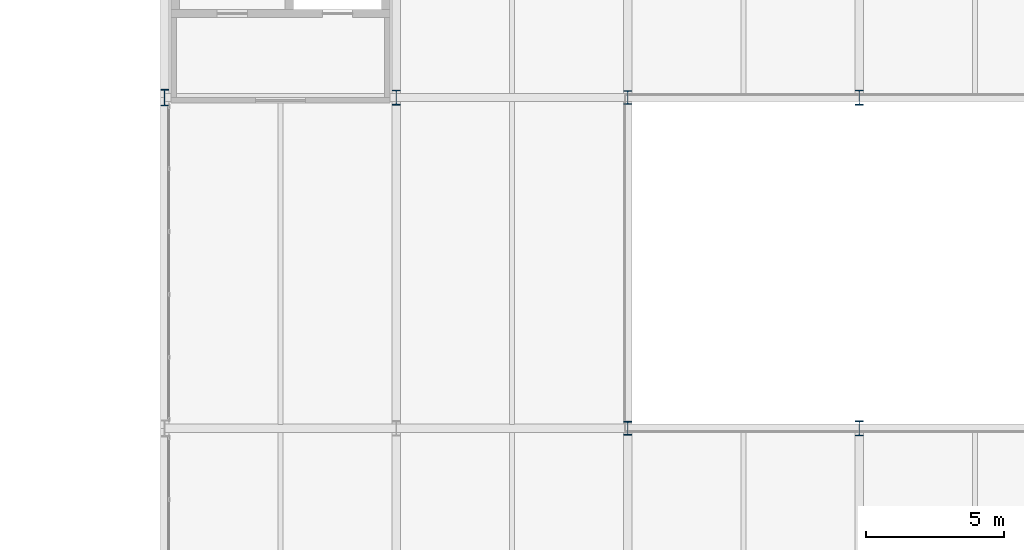
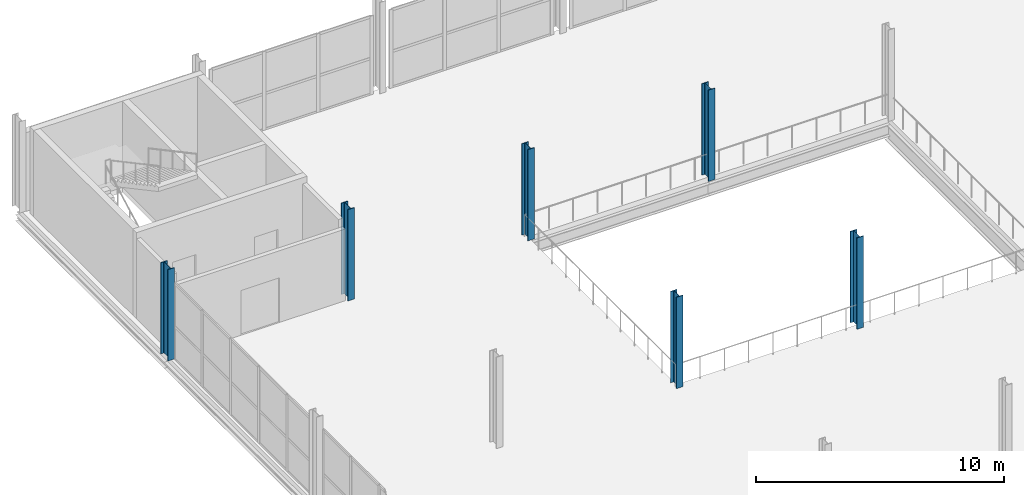
# One storey, part 3 of 109: 6 columns.
"""IFC4 building model written with IfcOpenShell, lengths in metres."""

from ifc_helpers import new_model, si_unit, direction, frame, origin, origin_2d, place, context, subcontext, project, spatial, i_section, extrude, material, material_profile, profile_set, type_object, element, save


model = new_model("IFC4")

# Units and contexts
model_context = context("Model", 3, precision=1e-05, world=origin(), true_north=direction((0.0, 1.0)))
body_context = subcontext(model_context, "Body", "Model", "MODEL_VIEW")
ifc_project = project(units=[si_unit("LENGTHUNIT", "METRE"), si_unit("AREAUNIT", "SQUARE_METRE"), si_unit("VOLUMEUNIT", "CUBIC_METRE"), si_unit("PLANEANGLEUNIT", "RADIAN"), si_unit("MASSUNIT", "GRAM", prefix="KILO")], contexts=[model_context])

# Site, building, storey
site_placement = place(None, origin())
site = spatial("IfcSite", under=ifc_project, at=site_placement, CompositionType="ELEMENT")
building_placement = place(site_placement, origin())
building = spatial("IfcBuilding", under=site, at=building_placement, Name="Veltarok Museum of Natural Sciences", CompositionType="ELEMENT")
storey_placement = place(building_placement, frame((0.0, 0.0, 17.39990234375)))
storey = spatial("IfcBuildingStorey", under=building, at=storey_placement, Name="L03", CompositionType="ELEMENT", Elevation=17.39990234375)

# Columns
ifc_material = material(Name="Steel S355J2", Category="steel")
ifc_material_profile_1 = material_profile(ifc_material, i_section(OverallWidth=0.300048828125, OverallDepth=0.550048828125, WebThickness=0.014892578125, FlangeThickness=0.029052734375, FilletRadius=0.027099609375, at=origin_2d()), Name="HEB 550")
ifc_profile_set_1 = profile_set([ifc_material_profile_1], Name="Steel S355J2")
column_type_1 = type_object("IfcColumnType", Name="Mid-Rise Hall Column HEB 550", PredefinedType="COLUMN", material=ifc_profile_set_1)
for number, where, z_axis, x_axis, name in (
    (1, (48.39990234375, 60.0, 0.0), (0.0, 0.0, 1.0), (1.0, 0.0, 0.0), "Column COL-S10 L03 6/G"),
    (2, (65.199951171875, 48.0, 0.0), (0.0, 0.0, 1.0), (1.0, 0.0, 0.0), "Column COL-S10 L03 8/F"),
    (3, (65.199951171875, 60.0, 0.0), (0.0, 0.0, 1.0), (1.0, 0.0, 0.0), "Column COL-S10 L03 8/G"),
):
    element("IfcColumn", number, at=place(storey_placement, frame(where, z_axis=z_axis, x_axis=x_axis)), inside=storey, type_object=column_type_1, Name=name, PredefinedType="COLUMN", context=body_context, shape_type="SweptSolid", body=[
        extrude(i_section(OverallWidth=0.300048828125, OverallDepth=0.550048828125, WebThickness=0.014892578125, FlangeThickness=0.029052734375, FilletRadius=0.027099609375, at=origin_2d()), origin(), (0.0, 0.0, 1.0), 4.5),
    ])
ifc_material_profile_2 = material_profile(ifc_material, i_section(OverallWidth=0.300048828125, OverallDepth=0.60009765625, WebThickness=0.015380859375, FlangeThickness=0.030029296875, FilletRadius=0.027099609375, at=origin_2d()), Name="HEB 600")
ifc_profile_set_2 = profile_set([ifc_material_profile_2], Name="Steel S355J2")
column_type_2 = type_object("IfcColumnType", Name="Perimeter Passage Column HEB 600", PredefinedType="COLUMN", material=ifc_profile_set_2)
column_placement = place(storey_placement, frame((40.0, 60.0, 0.0), z_axis=(0.0, 0.0, 1.0), x_axis=(1.0, 0.0, 0.0)))
element("IfcColumn", 4, at=column_placement, inside=storey, type_object=column_type_2, Name="Column COL-EXT02 L03 5/G", PredefinedType="COLUMN", context=body_context, shape_type="SweptSolid", body=[
    extrude(i_section(OverallWidth=0.300048828125, OverallDepth=0.60009765625, WebThickness=0.015380859375, FlangeThickness=0.030029296875, FilletRadius=0.027099609375, at=origin_2d()), origin(), (0.0, 0.0, 1.0), 4.5),
])
ifc_material_profile_3 = material_profile(ifc_material, i_section(OverallWidth=0.300048828125, OverallDepth=0.5, WebThickness=0.014404296875, FlangeThickness=0.028076171875, FilletRadius=0.027099609375, at=origin_2d()), Name="HEB 500")
ifc_profile_set_3 = profile_set([ifc_material_profile_3], Name="Steel S355J2")
column_type_3 = type_object("IfcColumnType", Name="Upper Gallery Column HEB 500", PredefinedType="COLUMN", material=ifc_profile_set_3)
for number, where, z_axis, x_axis, name in (
    (5, (56.800048828125, 48.0, 0.0), (0.0, 0.0, 1.0), (1.0, 0.0, 0.0), "Column COL-S05 L03 7/F"),
    (6, (56.800048828125, 60.0, 0.0), (0.0, 0.0, 1.0), (1.0, 0.0, 0.0), "Column COL-S05 L03 7/G"),
):
    element("IfcColumn", number, at=place(storey_placement, frame(where, z_axis=z_axis, x_axis=x_axis)), inside=storey, type_object=column_type_3, Name=name, PredefinedType="COLUMN", context=body_context, shape_type="SweptSolid", body=[
        extrude(i_section(OverallWidth=0.300048828125, OverallDepth=0.5, WebThickness=0.014404296875, FlangeThickness=0.028076171875, FilletRadius=0.027099609375, at=origin_2d()), origin(), (0.0, 0.0, 1.0), 4.5),
    ])

save(model, "model.ifc")
